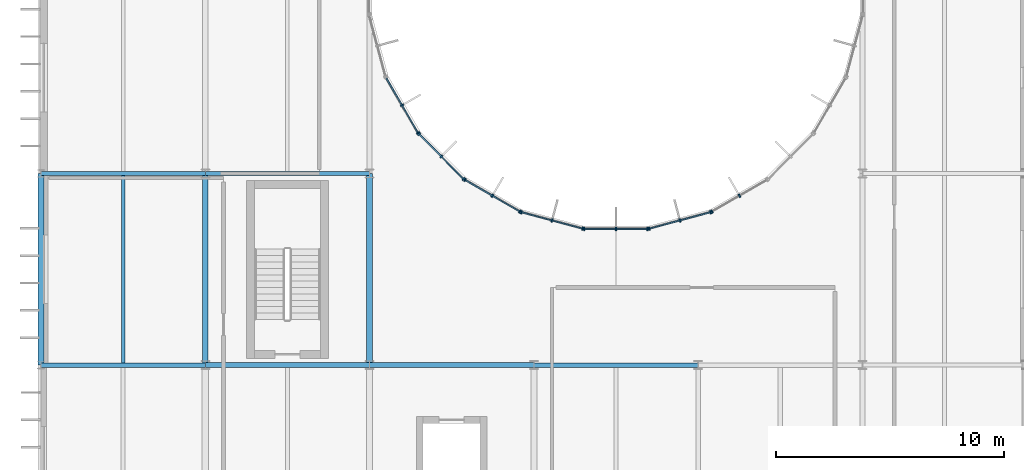
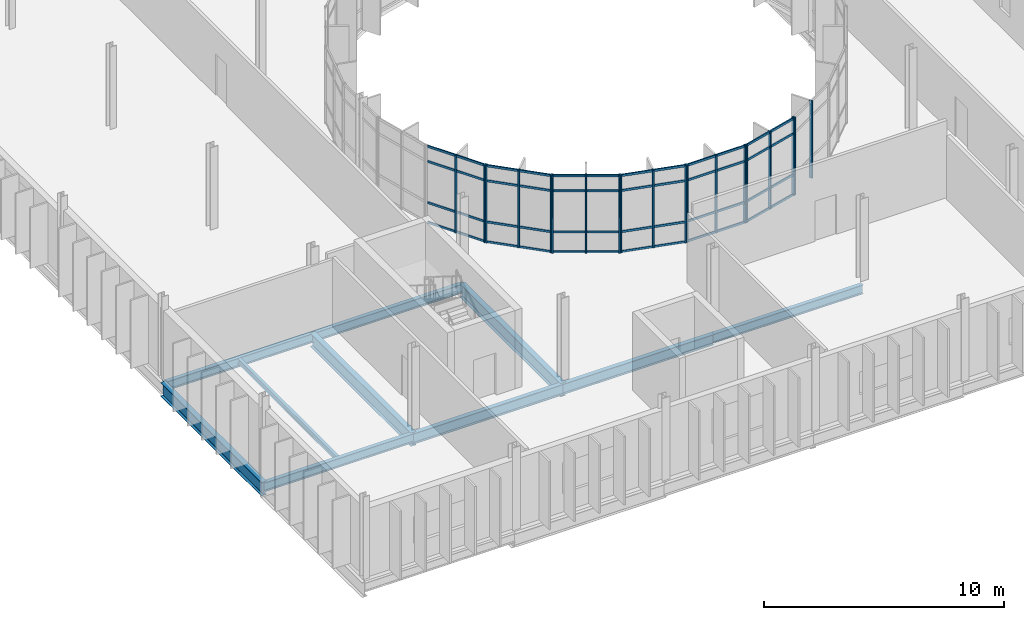
# One storey, part 37 of 99: 43 members, 10 beams, 7 elements without a shape of their own.
"""IFC4 building model written with IfcOpenShell, lengths in metres."""

import ifcopenshell
import ifcopenshell.guid

model = None  # the IFC model being written
_history = None  # IfcOwnerHistory: only IFC2X3 demands one
_inside = {}  # id of a spatial element -> (the spatial element, [elements in it])
_under = {}  # id of a project, library or spatial element -> (it, [spatial elements below it])
_declared = {}  # id of a project -> (the project, [libraries it declares])
_typed = {}  # id of a type object -> (the type object, [elements of that type])
_made_of = {}  # id of a material, layer set ... -> (it, [elements and type objects made of it])


def new_model(schema):
    """Start an empty IFC model of exactly this schema.

    Asked for "IFC4X3", IfcOpenShell would pick the latest addendum, in which some entities
    have other attributes; the version numbers below select the first issue.
    IFC2X3 requires an IfcOwnerHistory on every rooted entity: one is made here for all.
    """
    global model, _history
    if schema == "IFC4X3":
        model = ifcopenshell.file(schema_version=(4, 3, 0, 0))
    else:
        model = ifcopenshell.file(schema=schema)
    _inside.clear()
    _under.clear()
    _declared.clear()
    _typed.clear()
    _made_of.clear()
    _history = None
    if model.schema == "IFC2X3":
        org = make("IfcOrganization", Name="unknown")
        user = make(
            "IfcPersonAndOrganization",
            ThePerson=make("IfcPerson", FamilyName="unknown"),
            TheOrganization=org,
        )
        app = make(
            "IfcApplication",
            ApplicationDeveloper=org,
            Version="unknown",
            ApplicationFullName="unknown",
            ApplicationIdentifier="unknown",
        )
        _history = make(
            "IfcOwnerHistory",
            OwningUser=user,
            OwningApplication=app,
            ChangeAction="ADDED",
            CreationDate=0,
        )
    return model


def make(cls, **values):
    """One entity of the class cls with the attributes given. An attribute that is None is left unset."""
    return model.create_entity(
        cls, **{name: value for name, value in values.items() if value is not None}
    )


def rooted(cls, **values):
    """An entity with a GlobalId (a new one), such as an element, a storey or a relation."""
    return make(cls, GlobalId=ifcopenshell.guid.new(), OwnerHistory=_history, **values)


def si_unit(unit_type, name, prefix=None):
    """IfcSIUnit, for example si_unit("LENGTHUNIT", "METRE", prefix="MILLI")."""
    return make("IfcSIUnit", UnitType=unit_type, Prefix=prefix, Name=name)


def assignment(units):
    """IfcUnitAssignment: the units of a project."""
    return None if units is None else make("IfcUnitAssignment", Units=units)


def point(xyz):
    """IfcCartesianPoint."""
    return None if xyz is None else make("IfcCartesianPoint", Coordinates=xyz)


def direction(xyz):
    """IfcDirection."""
    return None if xyz is None else make("IfcDirection", DirectionRatios=xyz)


def frame(location, z_axis=None, x_axis=None):
    """IfcAxis2Placement3D, a coordinate frame: its origin and axes. An axis left out is left unset."""
    return make(
        "IfcAxis2Placement3D",
        Location=point(location),
        Axis=direction(z_axis),
        RefDirection=direction(x_axis),
    )


def frame_2d(location, x_axis=None):
    """IfcAxis2Placement2D, a coordinate frame in the plane: its origin and x axis."""
    return make(
        "IfcAxis2Placement2D", Location=point(location), RefDirection=direction(x_axis)
    )


def origin():
    """The frame at (0, 0, 0) with its axes left unset."""
    return frame((0.0, 0.0, 0.0))


def origin_2d():
    """The frame at (0, 0) in the plane with its x axis left unset."""
    return frame_2d((0.0, 0.0))


def place(relative_to, where):
    """IfcLocalPlacement: puts the frame where relative to a parent placement (None: the world)."""
    return make(
        "IfcLocalPlacement", PlacementRelTo=relative_to, RelativePlacement=where
    )


def context(
    kind, dimensions, precision=None, world=None, true_north=None, identifier=None
):
    """IfcGeometricRepresentationContext, for example the 3D "Model" context."""
    return make(
        "IfcGeometricRepresentationContext",
        ContextIdentifier=identifier,
        ContextType=kind,
        CoordinateSpaceDimension=dimensions,
        Precision=precision,
        WorldCoordinateSystem=world,
        TrueNorth=true_north,
    )


def subcontext(parent, identifier, kind, view, scale=None):
    """IfcGeometricRepresentationSubContext, for example "Body" below "Model"."""
    return make(
        "IfcGeometricRepresentationSubContext",
        ContextIdentifier=identifier,
        ContextType=kind,
        ParentContext=parent,
        TargetScale=scale,
        TargetView=view,
    )


def project(units=None, contexts=None):
    """IfcProject with its units and contexts."""
    return rooted(
        "IfcProject",
        Name="project",
        RepresentationContexts=contexts,
        UnitsInContext=assignment(units),
    )


def spatial(cls, under=None, at=None, **own):
    """A site, building, storey or space (cls), placed at a placement, below another one or the project."""
    s = rooted(cls, ObjectPlacement=at, **own)
    if under is not None:
        _under.setdefault(under.id(), (under, []))[1].append(s)
    return s


def profile(cls, at=None, kind="AREA", **sizes):
    """A parametric profile (cls). Its sizes go by their IFC names, for example OverallWidth=200.0."""
    return make(cls, ProfileType=kind, Position=at, **sizes)


def rectangle(**sizes):
    """IfcRectangleProfileDef."""
    return profile("IfcRectangleProfileDef", **sizes)


def i_section(**sizes):
    """IfcIShapeProfileDef."""
    return profile("IfcIShapeProfileDef", **sizes)


def extrude(swept, where, along, depth):
    """IfcExtrudedAreaSolid: the profile swept, set in the frame where, extruded along a direction by depth."""
    return make(
        "IfcExtrudedAreaSolid",
        SweptArea=swept,
        Position=where,
        ExtrudedDirection=direction(along),
        Depth=depth,
    )


def shape(context_of_items, identifier, shape_type, items):
    """IfcShapeRepresentation: the items that make up one representation, for example the "Body"."""
    return make(
        "IfcShapeRepresentation",
        ContextOfItems=context_of_items,
        RepresentationIdentifier=identifier,
        RepresentationType=shape_type,
        Items=items,
    )


def material(Name=None, Category=None):
    """IfcMaterial."""
    return make("IfcMaterial", Name=Name, Category=Category)


def material_profile(
    of_material, cross_section, Name=None, Category=None, Priority=None
):
    """IfcMaterialProfile: a cross section and its material."""
    return make(
        "IfcMaterialProfile",
        Name=Name,
        Material=of_material,
        Profile=cross_section,
        Priority=Priority,
        Category=Category,
    )


def profile_set(profiles, Name=None, composite=None):
    """IfcMaterialProfileSet."""
    return make(
        "IfcMaterialProfileSet",
        Name=Name,
        MaterialProfiles=profiles,
        CompositeProfile=composite,
    )


def made_of(thing, what):
    """Note that an element or type object is made of a material, layer set ...; save() writes the relation."""
    if what is not None:
        _made_of.setdefault(what.id(), (what, []))[1].append(thing)
    return thing


def type_object(cls, material=None, **own):
    """A type object (cls), such as IfcWallType, which elements share."""
    return made_of(rooted(cls, **own), material)


def element(
    cls,
    number,
    at=None,
    inside=None,
    cuts=None,
    type_object=None,
    material=None,
    context=None,
    identifier="Body",
    shape_type=None,
    held_by="IfcProductDefinitionShape",
    body=None,
    shapes=None,
    **own,
):
    """One element of the class cls, such as IfcWall. Its Tag is "e" and its number.

    at: its placement. inside: the storey or other place that contains it. cuts: it is an
    opening in that element (IfcRelVoidsElement). A single representation is given by context,
    identifier, shape_type and body (its items); several are given by shapes. held_by: the class
    of the entity that holds the representations. save() writes the other relations.
    """
    e = rooted(cls, Tag="e%d" % number, ObjectPlacement=at, **own)
    if body is not None:
        shapes = [shape(context, identifier, shape_type, body)]
    if shapes is not None:
        e.Representation = make(held_by, Representations=shapes)
    if inside is not None:
        _inside.setdefault(inside.id(), (inside, []))[1].append(e)
    if cuts is not None:
        rooted(
            "IfcRelVoidsElement", RelatingBuildingElement=cuts, RelatedOpeningElement=e
        )
    if type_object is not None:
        _typed.setdefault(type_object.id(), (type_object, []))[1].append(e)
    return made_of(e, material)


def aggregate(whole, parts):
    """IfcRelAggregates: a whole, such as a stair, and the parts it consists of."""
    return rooted("IfcRelAggregates", RelatingObject=whole, RelatedObjects=parts)


def save(model, path):
    """Write the relations noted so far, then the file.

    IfcRelAggregates (storeys below a building ...), IfcRelContainedInSpatialStructure (elements
    in a storey), IfcRelDefinesByType, IfcRelAssociatesMaterial and IfcRelDeclares: one each for
    every whole, place, type object, material and project.
    """
    for whole, parts in _under.values():
        aggregate(whole, parts)
    for where, things in _inside.values():
        rooted(
            "IfcRelContainedInSpatialStructure",
            RelatedElements=things,
            RelatingStructure=where,
        )
    for kind, things in _typed.values():
        rooted("IfcRelDefinesByType", RelatedObjects=things, RelatingType=kind)
    for what, things in _made_of.values():
        rooted("IfcRelAssociatesMaterial", RelatedObjects=things, RelatingMaterial=what)
    for by, libraries in _declared.values():
        rooted("IfcRelDeclares", RelatingContext=by, RelatedDefinitions=libraries)
    model.write(path)


model = new_model("IFC4")

# Units and contexts
model_context = context("Model", 3, precision=1e-05, world=origin(), true_north=direction((0.0, 1.0)))
body_context = subcontext(model_context, "Body", "Model", "MODEL_VIEW")
ifc_project = project(units=[si_unit("LENGTHUNIT", "METRE"), si_unit("AREAUNIT", "SQUARE_METRE"), si_unit("VOLUMEUNIT", "CUBIC_METRE"), si_unit("PLANEANGLEUNIT", "RADIAN"), si_unit("MASSUNIT", "GRAM", prefix="KILO")], contexts=[model_context])

# Site, building, storey
site_placement = place(None, origin())
site = spatial("IfcSite", under=ifc_project, at=site_placement, CompositionType="ELEMENT")
building_placement = place(site_placement, origin())
building = spatial("IfcBuilding", under=site, at=building_placement, Name="Qelthora Terrace Specialist Clinic", CompositionType="ELEMENT")
storey_placement = place(building_placement, frame((0.0, 0.0, 9.0)))
storey = spatial("IfcBuildingStorey", under=building, at=storey_placement, Name="L02", CompositionType="ELEMENT", Elevation=9.0)

# Beams
ifc_material_1 = material(Name="Steel S355", Category="steel")
ifc_material_profile_1 = material_profile(ifc_material_1, i_section(OverallWidth=0.19091796875, OverallDepth=0.4599609375, WebThickness=0.010009765625, FlangeThickness=0.01611328125, FilletRadius=0.012939453125, at=origin_2d()), Name="W460X82")
ifc_profile_set_1 = profile_set([ifc_material_profile_1], Name="Steel S355")
beam_type_1 = type_object("IfcBeamType", Name="BM-W460X82", PredefinedType="BEAM", material=ifc_profile_set_1)
beam_1_placement = place(storey_placement, frame((7.199951171875, 75.60009765625, -0.47998046875), z_axis=(1.0, 0.0, 0.0), x_axis=(0.0, 1.0, 0.0)))
element("IfcBeam", 1, at=beam_1_placement, inside=storey, type_object=beam_type_1, Name="Girder BMX-L02-0666", PredefinedType="BEAM", context=body_context, shape_type="SweptSolid", body=[
    extrude(i_section(OverallWidth=0.19091796875, OverallDepth=0.4599609375, WebThickness=0.010009765625, FlangeThickness=0.01611328125, FilletRadius=0.012939453125, at=origin_2d()), origin(), (0.0, 0.0, 1.0), 7.199951171875),
])
ifc_material_profile_2 = material_profile(ifc_material_1, i_section(OverallWidth=0.193115234375, OverallDepth=0.466064453125, WebThickness=0.011474609375, FlangeThickness=0.01904296875, FilletRadius=0.012939453125, at=origin_2d()), Name="W460X97")
ifc_profile_set_2 = profile_set([ifc_material_profile_2], Name="Steel S355")
beam_type_2 = type_object("IfcBeamType", Name="BM-W460X97", PredefinedType="BEAM", material=ifc_profile_set_2)
beam_2_placement = place(storey_placement, frame((21.60009765625, 67.199951171875, -0.48291015625), z_axis=(1.0, 0.0, 0.0), x_axis=(0.0, 1.0, 0.0)))
element("IfcBeam", 2, at=beam_2_placement, inside=storey, type_object=beam_type_2, Name="Girder BMX-L02-0651", PredefinedType="BEAM", context=body_context, shape_type="SweptSolid", body=[
    extrude(i_section(OverallWidth=0.193115234375, OverallDepth=0.466064453125, WebThickness=0.011474609375, FlangeThickness=0.01904296875, FilletRadius=0.012939453125, at=origin_2d()), origin(), (0.0, 0.0, 1.0), 7.199951171875),
])
ifc_material_profile_3 = material_profile(ifc_material_1, i_section(OverallWidth=0.2099609375, OverallDepth=0.537109375, WebThickness=0.010986328125, FlangeThickness=0.017333984375, FilletRadius=0.013916015625, at=origin_2d()), Name="W530X101")
ifc_profile_set_3 = profile_set([ifc_material_profile_3], Name="Steel S355")
beam_type_3 = type_object("IfcBeamType", Name="BM-W530X101", PredefinedType="BEAM", material=ifc_profile_set_3)
beam_3_placement = place(storey_placement, frame((14.39990234375, 67.199951171875, -0.5185546875), z_axis=(1.0, 0.0, 0.0), x_axis=(0.0, 1.0, 0.0)))
element("IfcBeam", 3, at=beam_3_placement, inside=storey, type_object=beam_type_3, Name="Girder BMX-L02-0650", PredefinedType="BEAM", context=body_context, shape_type="SweptSolid", body=[
    extrude(i_section(OverallWidth=0.2099609375, OverallDepth=0.537109375, WebThickness=0.010986328125, FlangeThickness=0.017333984375, FilletRadius=0.013916015625, at=origin_2d()), origin(), (0.0, 0.0, 1.0), 7.2001953125),
])
ifc_material_profile_4 = material_profile(ifc_material_1, i_section(OverallWidth=0.2119140625, OverallDepth=0.5439453125, WebThickness=0.01318359375, FlangeThickness=0.021240234375, FilletRadius=0.013916015625, at=origin_2d()), Name="W530X123")
ifc_profile_set_4 = profile_set([ifc_material_profile_4], Name="Steel S355")
beam_type_4 = type_object("IfcBeamType", Name="BM-W530X123", PredefinedType="BEAM", material=ifc_profile_set_4)
beam_4_placement = place(storey_placement, frame((7.199951171875, 67.199951171875, -0.52197265625), z_axis=(1.0, 0.0, 0.0), x_axis=(0.0, 1.0, 0.0)))
element("IfcBeam", 4, at=beam_4_placement, inside=storey, type_object=beam_type_4, Name="Girder BMX-L02-0649", PredefinedType="BEAM", context=body_context, shape_type="SweptSolid", body=[
    extrude(i_section(OverallWidth=0.2119140625, OverallDepth=0.5439453125, WebThickness=0.01318359375, FlangeThickness=0.021240234375, FilletRadius=0.013916015625, at=origin_2d()), origin(), (0.0, 0.0, 1.0), 7.199951171875),
])
ifc_material_profile_5 = material_profile(ifc_material_1, i_section(OverallWidth=0.256103515625, OverallDepth=0.693115234375, WebThickness=0.014404296875, FlangeThickness=0.023681640625, FilletRadius=0.01806640625, at=origin_2d()), Name="W690X170")
ifc_profile_set_5 = profile_set([ifc_material_profile_5], Name="Steel S355")
beam_type_5 = type_object("IfcBeamType", Name="BM-W690X170", PredefinedType="BEAM", material=ifc_profile_set_5)
for number, where, z_axis, x_axis, name in (
    (5, (0.0, 67.199951171875, -0.596435546875), (0.0, 1.0, 0.0), (-1.0, 0.0, 0.0), "Girder BMY-L02-0743"),
    (6, (7.199951171875, 67.199951171875, -0.596435546875), (0.0, 1.0, 0.0), (-1.0, 0.0, 0.0), "Girder BMY-L02-0753"),
    (7, (14.39990234375, 67.199951171875, -0.596435546875), (0.0, 1.0, 0.0), (-1.0, 0.0, 0.0), "Girder BMY-L02-0763"),
):
    element("IfcBeam", number, at=place(storey_placement, frame(where, z_axis=z_axis, x_axis=x_axis)), inside=storey, type_object=beam_type_5, Name=name, PredefinedType="BEAM", context=body_context, shape_type="SweptSolid", body=[
        extrude(i_section(OverallWidth=0.256103515625, OverallDepth=0.693115234375, WebThickness=0.014404296875, FlangeThickness=0.023681640625, FilletRadius=0.01806640625, at=origin_2d()), origin(), (0.0, 0.0, 1.0), 8.400146484375),
    ])

# Curtain wall, members
ifc_material_2 = material(Name="Aluminium anodized bronze", Category="aluminium")
curtain_wall_type = type_object("IfcCurtainWallType", Name="CW-CRTW-UPP", PredefinedType="NOTDEFINED", material=ifc_material_2)
curtain_wall_1_placement = place(storey_placement, origin())
curtain_wall_1 = element("IfcCurtainWall", 8, at=curtain_wall_1_placement, inside=storey, type_object=curtain_wall_type, Name="Curtain wall CW-CW-L02-14", PredefinedType="NOTDEFINED")
ifc_material_profile_6 = material_profile(ifc_material_2, rectangle(XDim=0.06005859375, YDim=0.14990234375, at=origin_2d()), Name="CWM60X150")
ifc_profile_set_6 = profile_set([ifc_material_profile_6], Name="Aluminium anodized bronze")
member_type_1 = type_object("IfcMemberType", Name="CWM-60X150", PredefinedType="MULLION", material=ifc_profile_set_6)
member_1_placement = place(storey_placement, frame((15.822998046875, 78.586181640625, 0.0), z_axis=(0.0, 0.0, 1.0), x_axis=(0.499999597971, -0.866025635896, 0.0)))
member_1 = element("IfcMember", 9, at=member_1_placement, type_object=member_type_1, Name="CW-CW-L02-14 mullion 2", PredefinedType="MULLION", context=body_context, shape_type="SweptSolid", body=[
    extrude(rectangle(XDim=0.06005859375, YDim=0.14990234375, at=origin_2d()), origin(), (0.0, 0.0, 1.0), 3.945068359375),
])
member_2_placement = place(storey_placement, frame((16.517822265625, 77.3828125, 0.0), z_axis=(0.0, 0.0, 1.0), x_axis=(0.499999597971, -0.866025635896, 0.0)))
member_2 = element("IfcMember", 10, at=member_2_placement, type_object=member_type_1, Name="CW-CW-L02-14 mullion 3", PredefinedType="MULLION", context=body_context, shape_type="SweptSolid", body=[
    extrude(rectangle(XDim=0.06005859375, YDim=0.14990234375, at=origin_2d()), origin(), (0.0, 0.0, 1.0), 3.945068359375),
])

curtain_wall_2_placement = place(storey_placement, origin())
curtain_wall_2 = element("IfcCurtainWall", 11, at=curtain_wall_2_placement, inside=storey, type_object=curtain_wall_type, Name="Curtain wall CW-CW-L02-15", PredefinedType="NOTDEFINED")
member_3_placement = place(storey_placement, frame((16.56103515625, 77.326416015625, 0.0), z_axis=(0.0, 0.0, 1.0), x_axis=(0.707106781187, -0.707106781187, 0.0)))
member_3 = element("IfcMember", 12, at=member_3_placement, type_object=member_type_1, Name="CW-CW-L02-15 mullion 1", PredefinedType="MULLION", context=body_context, shape_type="SweptSolid", body=[
    extrude(rectangle(XDim=0.06005859375, YDim=0.14990234375, at=origin_2d()), origin(), (0.0, 0.0, 1.0), 3.945068359375),
])
member_4_placement = place(storey_placement, frame((17.543701171875, 76.34375, 0.0), z_axis=(0.0, 0.0, 1.0), x_axis=(0.707106781187, -0.707106781187, 0.0)))
member_4 = element("IfcMember", 13, at=member_4_placement, type_object=member_type_1, Name="CW-CW-L02-15 mullion 2", PredefinedType="MULLION", context=body_context, shape_type="SweptSolid", body=[
    extrude(rectangle(XDim=0.06005859375, YDim=0.14990234375, at=origin_2d()), origin(), (0.0, 0.0, 1.0), 3.945068359375),
])
member_5_placement = place(storey_placement, frame((18.5263671875, 75.361083984375, 0.0), z_axis=(0.0, 0.0, 1.0), x_axis=(0.707106781187, -0.707106781187, 0.0)))
member_5 = element("IfcMember", 14, at=member_5_placement, type_object=member_type_1, Name="CW-CW-L02-15 mullion 3", PredefinedType="MULLION", context=body_context, shape_type="SweptSolid", body=[
    extrude(rectangle(XDim=0.06005859375, YDim=0.14990234375, at=origin_2d()), origin(), (0.0, 0.0, 1.0), 3.945068359375),
])

curtain_wall_3_placement = place(storey_placement, origin())
curtain_wall_3 = element("IfcCurtainWall", 15, at=curtain_wall_3_placement, inside=storey, type_object=curtain_wall_type, Name="Curtain wall CW-CW-L02-16", PredefinedType="NOTDEFINED")
member_6_placement = place(storey_placement, frame((18.582763671875, 75.31787109375, 0.0), z_axis=(0.0, 0.0, 1.0), x_axis=(0.866025635896, -0.499999597971, 0.0)))
member_6 = element("IfcMember", 16, at=member_6_placement, type_object=member_type_1, Name="CW-CW-L02-16 mullion 1", PredefinedType="MULLION", context=body_context, shape_type="SweptSolid", body=[
    extrude(rectangle(XDim=0.06005859375, YDim=0.14990234375, at=origin_2d()), origin(), (0.0, 0.0, 1.0), 3.945068359375),
])
member_7_placement = place(storey_placement, frame((19.7861328125, 74.623046875, 0.0), z_axis=(0.0, 0.0, 1.0), x_axis=(0.866025635896, -0.499999597971, 0.0)))
member_7 = element("IfcMember", 17, at=member_7_placement, type_object=member_type_1, Name="CW-CW-L02-16 mullion 2", PredefinedType="MULLION", context=body_context, shape_type="SweptSolid", body=[
    extrude(rectangle(XDim=0.06005859375, YDim=0.14990234375, at=origin_2d()), origin(), (0.0, 0.0, 1.0), 3.945068359375),
])
member_8_placement = place(storey_placement, frame((20.98974609375, 73.92822265625, 0.0), z_axis=(0.0, 0.0, 1.0), x_axis=(0.866025635896, -0.499999597971, 0.0)))
member_8 = element("IfcMember", 18, at=member_8_placement, type_object=member_type_1, Name="CW-CW-L02-16 mullion 3", PredefinedType="MULLION", context=body_context, shape_type="SweptSolid", body=[
    extrude(rectangle(XDim=0.06005859375, YDim=0.14990234375, at=origin_2d()), origin(), (0.0, 0.0, 1.0), 3.945068359375),
])

curtain_wall_4_placement = place(storey_placement, origin())
curtain_wall_4 = element("IfcCurtainWall", 19, at=curtain_wall_4_placement, inside=storey, type_object=curtain_wall_type, Name="Curtain wall CW-CW-L02-17", PredefinedType="NOTDEFINED")
member_9_placement = place(storey_placement, frame((21.05517578125, 73.901123046875, 0.0), z_axis=(0.0, 0.0, 1.0), x_axis=(0.96592547477, -0.258820356987, 0.0)))
member_9 = element("IfcMember", 20, at=member_9_placement, type_object=member_type_1, Name="CW-CW-L02-17 mullion 1", PredefinedType="MULLION", context=body_context, shape_type="SweptSolid", body=[
    extrude(rectangle(XDim=0.06005859375, YDim=0.14990234375, at=origin_2d()), origin(), (0.0, 0.0, 1.0), 3.945068359375),
])
member_10_placement = place(storey_placement, frame((22.397705078125, 73.541259765625, 0.0), z_axis=(0.0, 0.0, 1.0), x_axis=(0.96592547477, -0.258820356987, 0.0)))
member_10 = element("IfcMember", 21, at=member_10_placement, type_object=member_type_1, Name="CW-CW-L02-17 mullion 2", PredefinedType="MULLION", context=body_context, shape_type="SweptSolid", body=[
    extrude(rectangle(XDim=0.06005859375, YDim=0.14990234375, at=origin_2d()), origin(), (0.0, 0.0, 1.0), 3.945068359375),
])
member_11_placement = place(storey_placement, frame((23.739990234375, 73.181640625, 0.0), z_axis=(0.0, 0.0, 1.0), x_axis=(0.96592547477, -0.258820356987, 0.0)))
member_11 = element("IfcMember", 22, at=member_11_placement, type_object=member_type_1, Name="CW-CW-L02-17 mullion 3", PredefinedType="MULLION", context=body_context, shape_type="SweptSolid", body=[
    extrude(rectangle(XDim=0.06005859375, YDim=0.14990234375, at=origin_2d()), origin(), (0.0, 0.0, 1.0), 3.945068359375),
])

curtain_wall_5_placement = place(storey_placement, origin())
curtain_wall_5 = element("IfcCurtainWall", 23, at=curtain_wall_5_placement, inside=storey, type_object=curtain_wall_type, Name="Curtain wall CW-CW-L02-18", PredefinedType="NOTDEFINED")
member_12_placement = place(storey_placement, frame((23.810302734375, 73.17236328125, 0.0), z_axis=(0.0, 0.0, 1.0), x_axis=(1.0, 0.0, 0.0)))
member_12 = element("IfcMember", 24, at=member_12_placement, type_object=member_type_1, Name="CW-CW-L02-18 mullion 1", PredefinedType="MULLION", context=body_context, shape_type="SweptSolid", body=[
    extrude(rectangle(XDim=0.06005859375, YDim=0.14990234375, at=origin_2d()), origin(), (0.0, 0.0, 1.0), 3.945068359375),
])
member_13_placement = place(storey_placement, frame((25.199951171875, 73.17236328125, 0.0), z_axis=(0.0, 0.0, 1.0), x_axis=(1.0, 0.0, 0.0)))
member_13 = element("IfcMember", 25, at=member_13_placement, type_object=member_type_1, Name="CW-CW-L02-18 mullion 2", PredefinedType="MULLION", context=body_context, shape_type="SweptSolid", body=[
    extrude(rectangle(XDim=0.06005859375, YDim=0.14990234375, at=origin_2d()), origin(), (0.0, 0.0, 1.0), 3.945068359375),
])
member_14_placement = place(storey_placement, frame((26.589599609375, 73.17236328125, 0.0), z_axis=(0.0, 0.0, 1.0), x_axis=(1.0, 0.0, 0.0)))
member_14 = element("IfcMember", 26, at=member_14_placement, type_object=member_type_1, Name="CW-CW-L02-18 mullion 3", PredefinedType="MULLION", context=body_context, shape_type="SweptSolid", body=[
    extrude(rectangle(XDim=0.06005859375, YDim=0.14990234375, at=origin_2d()), origin(), (0.0, 0.0, 1.0), 3.945068359375),
])

curtain_wall_6_placement = place(storey_placement, origin())
curtain_wall_6 = element("IfcCurtainWall", 27, at=curtain_wall_6_placement, inside=storey, type_object=curtain_wall_type, Name="Curtain wall CW-CW-L02-19", PredefinedType="NOTDEFINED")
member_15_placement = place(storey_placement, frame((26.66015625, 73.181640625, 0.0), z_axis=(0.0, 0.0, 1.0), x_axis=(0.96592547477, 0.258820356987, 0.0)))
member_15 = element("IfcMember", 28, at=member_15_placement, type_object=member_type_1, Name="CW-CW-L02-19 mullion 1", PredefinedType="MULLION", context=body_context, shape_type="SweptSolid", body=[
    extrude(rectangle(XDim=0.06005859375, YDim=0.14990234375, at=origin_2d()), origin(), (0.0, 0.0, 1.0), 3.945068359375),
])
member_16_placement = place(storey_placement, frame((28.00244140625, 73.541259765625, 0.0), z_axis=(0.0, 0.0, 1.0), x_axis=(0.96592547477, 0.258820356987, 0.0)))
member_16 = element("IfcMember", 29, at=member_16_placement, type_object=member_type_1, Name="CW-CW-L02-19 mullion 2", PredefinedType="MULLION", context=body_context, shape_type="SweptSolid", body=[
    extrude(rectangle(XDim=0.06005859375, YDim=0.14990234375, at=origin_2d()), origin(), (0.0, 0.0, 1.0), 3.945068359375),
])
member_17_placement = place(storey_placement, frame((29.3447265625, 73.901123046875, 0.0), z_axis=(0.0, 0.0, 1.0), x_axis=(0.96592547477, 0.258820356987, 0.0)))
member_17 = element("IfcMember", 30, at=member_17_placement, type_object=member_type_1, Name="CW-CW-L02-19 mullion 3", PredefinedType="MULLION", context=body_context, shape_type="SweptSolid", body=[
    extrude(rectangle(XDim=0.06005859375, YDim=0.14990234375, at=origin_2d()), origin(), (0.0, 0.0, 1.0), 3.945068359375),
])

curtain_wall_7_placement = place(storey_placement, origin())
curtain_wall_7 = element("IfcCurtainWall", 31, at=curtain_wall_7_placement, inside=storey, type_object=curtain_wall_type, Name="Curtain wall CW-CW-L02-20", PredefinedType="NOTDEFINED")
member_18_placement = place(storey_placement, frame((29.410400390625, 73.92822265625, 0.0), z_axis=(0.0, 0.0, 1.0), x_axis=(0.866025635896, 0.499999597971, 0.0)))
member_18 = element("IfcMember", 32, at=member_18_placement, type_object=member_type_1, Name="CW-CW-L02-20 mullion 1", PredefinedType="MULLION", context=body_context, shape_type="SweptSolid", body=[
    extrude(rectangle(XDim=0.06005859375, YDim=0.14990234375, at=origin_2d()), origin(), (0.0, 0.0, 1.0), 3.945068359375),
])
member_19_placement = place(storey_placement, frame((30.61376953125, 74.623046875, 0.0), z_axis=(0.0, 0.0, 1.0), x_axis=(0.866025635896, 0.499999597971, 0.0)))
member_19 = element("IfcMember", 33, at=member_19_placement, type_object=member_type_1, Name="CW-CW-L02-20 mullion 2", PredefinedType="MULLION", context=body_context, shape_type="SweptSolid", body=[
    extrude(rectangle(XDim=0.06005859375, YDim=0.14990234375, at=origin_2d()), origin(), (0.0, 0.0, 1.0), 3.945068359375),
])
aggregate(curtain_wall_7, [member_18, member_19])

# Member
ifc_material_profile_7 = material_profile(ifc_material_2, rectangle(XDim=0.06005859375, YDim=0.110107421875, at=origin_2d()), Name="CWT60X110")
ifc_profile_set_7 = profile_set([ifc_material_profile_7], Name="Aluminium anodized bronze")
member_type_2 = type_object("IfcMemberType", Name="CWT-60X110", PredefinedType="USERDEFINED", material=ifc_profile_set_7)
member_20_placement = place(storey_placement, frame((15.13818359375, 79.7724609375, 0.0400390625), z_axis=(0.499953886166, -0.866052025982, 0.0), x_axis=(0.866052025982, 0.499953886166, 0.0)))
member_20 = element("IfcMember", 34, at=member_20_placement, type_object=member_type_2, Name="CW-CW-L02-14 transom 1", ObjectType="TRANSOM", PredefinedType="USERDEFINED", context=body_context, shape_type="SweptSolid", body=[
    extrude(rectangle(XDim=0.06005859375, YDim=0.110107421875, at=origin_2d()), origin(), (0.0, 0.0, 1.0), 2.739501953125),
])

member_21_placement = place(storey_placement, frame((15.13818359375, 79.7724609375, 1.050048828125), z_axis=(0.499953886166, -0.866052025982, 0.0), x_axis=(0.866052025982, 0.499953886166, 0.0)))
member_21 = element("IfcMember", 35, at=member_21_placement, type_object=member_type_2, Name="CW-CW-L02-14 transom 2", ObjectType="TRANSOM", PredefinedType="USERDEFINED", context=body_context, shape_type="SweptSolid", body=[
    extrude(rectangle(XDim=0.06005859375, YDim=0.110107421875, at=origin_2d()), origin(), (0.0, 0.0, 1.0), 2.739501953125),
])

member_22_placement = place(storey_placement, frame((15.13818359375, 79.7724609375, 3.14501953125), z_axis=(0.499953886166, -0.866052025982, 0.0), x_axis=(0.866052025982, 0.499953886166, 0.0)))
member_22 = element("IfcMember", 36, at=member_22_placement, type_object=member_type_2, Name="CW-CW-L02-14 transom 3", ObjectType="TRANSOM", PredefinedType="USERDEFINED", context=body_context, shape_type="SweptSolid", body=[
    extrude(rectangle(XDim=0.06005859375, YDim=0.110107421875, at=origin_2d()), origin(), (0.0, 0.0, 1.0), 2.739501953125),
])

member_23_placement = place(storey_placement, frame((15.13818359375, 79.7724609375, 3.905029296875), z_axis=(0.499953886166, -0.866052025982, 0.0), x_axis=(0.866052025982, 0.499953886166, 0.0)))
member_23 = element("IfcMember", 37, at=member_23_placement, type_object=member_type_2, Name="CW-CW-L02-14 transom 4", ObjectType="TRANSOM", PredefinedType="USERDEFINED", context=body_context, shape_type="SweptSolid", body=[
    extrude(rectangle(XDim=0.06005859375, YDim=0.110107421875, at=origin_2d()), origin(), (0.0, 0.0, 1.0), 2.739501953125),
])

aggregate(curtain_wall_1, [member_1, member_2, member_20, member_21, member_22, member_23])

member_24_placement = place(storey_placement, frame((16.5751953125, 77.312255859375, 0.0400390625), z_axis=(0.707106781187, -0.707106781187, 0.0), x_axis=(0.707106781187, 0.707106781187, 0.0)))
member_24 = element("IfcMember", 38, at=member_24_placement, type_object=member_type_2, Name="CW-CW-L02-15 transom 1", ObjectType="TRANSOM", PredefinedType="USERDEFINED", context=body_context, shape_type="SweptSolid", body=[
    extrude(rectangle(XDim=0.06005859375, YDim=0.110107421875, at=origin_2d()), origin(), (0.0, 0.0, 1.0), 2.7392578125),
])

member_25_placement = place(storey_placement, frame((16.5751953125, 77.312255859375, 1.050048828125), z_axis=(0.707106781187, -0.707106781187, 0.0), x_axis=(0.707106781187, 0.707106781187, 0.0)))
member_25 = element("IfcMember", 39, at=member_25_placement, type_object=member_type_2, Name="CW-CW-L02-15 transom 2", ObjectType="TRANSOM", PredefinedType="USERDEFINED", context=body_context, shape_type="SweptSolid", body=[
    extrude(rectangle(XDim=0.06005859375, YDim=0.110107421875, at=origin_2d()), origin(), (0.0, 0.0, 1.0), 2.7392578125),
])

member_26_placement = place(storey_placement, frame((16.5751953125, 77.312255859375, 3.14501953125), z_axis=(0.707106781187, -0.707106781187, 0.0), x_axis=(0.707106781187, 0.707106781187, 0.0)))
member_26 = element("IfcMember", 40, at=member_26_placement, type_object=member_type_2, Name="CW-CW-L02-15 transom 3", ObjectType="TRANSOM", PredefinedType="USERDEFINED", context=body_context, shape_type="SweptSolid", body=[
    extrude(rectangle(XDim=0.06005859375, YDim=0.110107421875, at=origin_2d()), origin(), (0.0, 0.0, 1.0), 2.7392578125),
])

member_27_placement = place(storey_placement, frame((16.5751953125, 77.312255859375, 3.905029296875), z_axis=(0.707106781187, -0.707106781187, 0.0), x_axis=(0.707106781187, 0.707106781187, 0.0)))
member_27 = element("IfcMember", 41, at=member_27_placement, type_object=member_type_2, Name="CW-CW-L02-15 transom 4", ObjectType="TRANSOM", PredefinedType="USERDEFINED", context=body_context, shape_type="SweptSolid", body=[
    extrude(rectangle(XDim=0.06005859375, YDim=0.110107421875, at=origin_2d()), origin(), (0.0, 0.0, 1.0), 2.7392578125),
])

aggregate(curtain_wall_2, [member_3, member_4, member_5, member_24, member_25, member_26, member_27])

member_28_placement = place(storey_placement, frame((18.60009765625, 75.307861328125, 0.0400390625), z_axis=(0.866029747927, -0.499992475648, 0.0), x_axis=(0.499992475648, 0.866029747927, 0.0)))
member_28 = element("IfcMember", 42, at=member_28_placement, type_object=member_type_2, Name="CW-CW-L02-16 transom 1", ObjectType="TRANSOM", PredefinedType="USERDEFINED", context=body_context, shape_type="SweptSolid", body=[
    extrude(rectangle(XDim=0.06005859375, YDim=0.110107421875, at=origin_2d()), origin(), (0.0, 0.0, 1.0), 2.7392578125),
])

member_29_placement = place(storey_placement, frame((18.60009765625, 75.307861328125, 1.050048828125), z_axis=(0.866029747927, -0.499992475648, 0.0), x_axis=(0.499992475648, 0.866029747927, 0.0)))
member_29 = element("IfcMember", 43, at=member_29_placement, type_object=member_type_2, Name="CW-CW-L02-16 transom 2", ObjectType="TRANSOM", PredefinedType="USERDEFINED", context=body_context, shape_type="SweptSolid", body=[
    extrude(rectangle(XDim=0.06005859375, YDim=0.110107421875, at=origin_2d()), origin(), (0.0, 0.0, 1.0), 2.7392578125),
])

member_30_placement = place(storey_placement, frame((18.60009765625, 75.307861328125, 3.14501953125), z_axis=(0.866029747927, -0.499992475648, 0.0), x_axis=(0.499992475648, 0.866029747927, 0.0)))
member_30 = element("IfcMember", 44, at=member_30_placement, type_object=member_type_2, Name="CW-CW-L02-16 transom 3", ObjectType="TRANSOM", PredefinedType="USERDEFINED", context=body_context, shape_type="SweptSolid", body=[
    extrude(rectangle(XDim=0.06005859375, YDim=0.110107421875, at=origin_2d()), origin(), (0.0, 0.0, 1.0), 2.7392578125),
])

member_31_placement = place(storey_placement, frame((18.60009765625, 75.307861328125, 3.905029296875), z_axis=(0.866029747927, -0.499992475648, 0.0), x_axis=(0.499992475648, 0.866029747927, 0.0)))
member_31 = element("IfcMember", 45, at=member_31_placement, type_object=member_type_2, Name="CW-CW-L02-16 transom 4", ObjectType="TRANSOM", PredefinedType="USERDEFINED", context=body_context, shape_type="SweptSolid", body=[
    extrude(rectangle(XDim=0.06005859375, YDim=0.110107421875, at=origin_2d()), origin(), (0.0, 0.0, 1.0), 2.7392578125),
])

aggregate(curtain_wall_3, [member_6, member_7, member_8, member_28, member_29, member_30, member_31])

member_32_placement = place(storey_placement, frame((21.07470703125, 73.895751953125, 0.0400390625), z_axis=(0.965926569303, -0.258816272122, 0.0), x_axis=(0.258816272122, 0.965926569303, 0.0)))
member_32 = element("IfcMember", 46, at=member_32_placement, type_object=member_type_2, Name="CW-CW-L02-17 transom 1", ObjectType="TRANSOM", PredefinedType="USERDEFINED", context=body_context, shape_type="SweptSolid", body=[
    extrude(rectangle(XDim=0.06005859375, YDim=0.110107421875, at=origin_2d()), origin(), (0.0, 0.0, 1.0), 2.7392578125),
])

member_33_placement = place(storey_placement, frame((21.07470703125, 73.895751953125, 1.050048828125), z_axis=(0.965926569303, -0.258816272122, 0.0), x_axis=(0.258816272122, 0.965926569303, 0.0)))
member_33 = element("IfcMember", 47, at=member_33_placement, type_object=member_type_2, Name="CW-CW-L02-17 transom 2", ObjectType="TRANSOM", PredefinedType="USERDEFINED", context=body_context, shape_type="SweptSolid", body=[
    extrude(rectangle(XDim=0.06005859375, YDim=0.110107421875, at=origin_2d()), origin(), (0.0, 0.0, 1.0), 2.7392578125),
])

member_34_placement = place(storey_placement, frame((21.07470703125, 73.895751953125, 3.14501953125), z_axis=(0.965926569303, -0.258816272122, 0.0), x_axis=(0.258816272122, 0.965926569303, 0.0)))
member_34 = element("IfcMember", 48, at=member_34_placement, type_object=member_type_2, Name="CW-CW-L02-17 transom 3", ObjectType="TRANSOM", PredefinedType="USERDEFINED", context=body_context, shape_type="SweptSolid", body=[
    extrude(rectangle(XDim=0.06005859375, YDim=0.110107421875, at=origin_2d()), origin(), (0.0, 0.0, 1.0), 2.7392578125),
])

member_35_placement = place(storey_placement, frame((21.07470703125, 73.895751953125, 3.905029296875), z_axis=(0.965926569303, -0.258816272122, 0.0), x_axis=(0.258816272122, 0.965926569303, 0.0)))
member_35 = element("IfcMember", 49, at=member_35_placement, type_object=member_type_2, Name="CW-CW-L02-17 transom 4", ObjectType="TRANSOM", PredefinedType="USERDEFINED", context=body_context, shape_type="SweptSolid", body=[
    extrude(rectangle(XDim=0.06005859375, YDim=0.110107421875, at=origin_2d()), origin(), (0.0, 0.0, 1.0), 2.7392578125),
])

aggregate(curtain_wall_4, [member_9, member_10, member_11, member_32, member_33, member_34, member_35])

member_36_placement = place(storey_placement, frame((23.830322265625, 73.17236328125, 0.0400390625), z_axis=(1.0, 0.0, 0.0), x_axis=(0.0, 1.0, 0.0)))
member_36 = element("IfcMember", 50, at=member_36_placement, type_object=member_type_2, Name="CW-CW-L02-18 transom 1", ObjectType="TRANSOM", PredefinedType="USERDEFINED", context=body_context, shape_type="SweptSolid", body=[
    extrude(rectangle(XDim=0.06005859375, YDim=0.110107421875, at=origin_2d()), origin(), (0.0, 0.0, 1.0), 2.7392578125),
])

member_37_placement = place(storey_placement, frame((23.830322265625, 73.17236328125, 1.050048828125), z_axis=(1.0, 0.0, 0.0), x_axis=(0.0, 1.0, 0.0)))
member_37 = element("IfcMember", 51, at=member_37_placement, type_object=member_type_2, Name="CW-CW-L02-18 transom 2", ObjectType="TRANSOM", PredefinedType="USERDEFINED", context=body_context, shape_type="SweptSolid", body=[
    extrude(rectangle(XDim=0.06005859375, YDim=0.110107421875, at=origin_2d()), origin(), (0.0, 0.0, 1.0), 2.7392578125),
])

member_38_placement = place(storey_placement, frame((23.830322265625, 73.17236328125, 3.14501953125), z_axis=(1.0, 0.0, 0.0), x_axis=(0.0, 1.0, 0.0)))
member_38 = element("IfcMember", 52, at=member_38_placement, type_object=member_type_2, Name="CW-CW-L02-18 transom 3", ObjectType="TRANSOM", PredefinedType="USERDEFINED", context=body_context, shape_type="SweptSolid", body=[
    extrude(rectangle(XDim=0.06005859375, YDim=0.110107421875, at=origin_2d()), origin(), (0.0, 0.0, 1.0), 2.7392578125),
])

member_39_placement = place(storey_placement, frame((23.830322265625, 73.17236328125, 3.905029296875), z_axis=(1.0, 0.0, 0.0), x_axis=(0.0, 1.0, 0.0)))
member_39 = element("IfcMember", 53, at=member_39_placement, type_object=member_type_2, Name="CW-CW-L02-18 transom 4", ObjectType="TRANSOM", PredefinedType="USERDEFINED", context=body_context, shape_type="SweptSolid", body=[
    extrude(rectangle(XDim=0.06005859375, YDim=0.110107421875, at=origin_2d()), origin(), (0.0, 0.0, 1.0), 2.7392578125),
])

aggregate(curtain_wall_5, [member_12, member_13, member_14, member_36, member_37, member_38, member_39])

member_40_placement = place(storey_placement, frame((26.679443359375, 73.186767578125, 0.0400390625), z_axis=(0.965926569303, 0.258816272122, 0.0), x_axis=(-0.258816272122, 0.965926569303, 0.0)))
member_40 = element("IfcMember", 54, at=member_40_placement, type_object=member_type_2, Name="CW-CW-L02-19 transom 1", ObjectType="TRANSOM", PredefinedType="USERDEFINED", context=body_context, shape_type="SweptSolid", body=[
    extrude(rectangle(XDim=0.06005859375, YDim=0.110107421875, at=origin_2d()), origin(), (0.0, 0.0, 1.0), 2.7392578125),
])

member_41_placement = place(storey_placement, frame((26.679443359375, 73.186767578125, 1.050048828125), z_axis=(0.965926569303, 0.258816272122, 0.0), x_axis=(-0.258816272122, 0.965926569303, 0.0)))
member_41 = element("IfcMember", 55, at=member_41_placement, type_object=member_type_2, Name="CW-CW-L02-19 transom 2", ObjectType="TRANSOM", PredefinedType="USERDEFINED", context=body_context, shape_type="SweptSolid", body=[
    extrude(rectangle(XDim=0.06005859375, YDim=0.110107421875, at=origin_2d()), origin(), (0.0, 0.0, 1.0), 2.7392578125),
])

member_42_placement = place(storey_placement, frame((26.679443359375, 73.186767578125, 3.14501953125), z_axis=(0.965926569303, 0.258816272122, 0.0), x_axis=(-0.258816272122, 0.965926569303, 0.0)))
member_42 = element("IfcMember", 56, at=member_42_placement, type_object=member_type_2, Name="CW-CW-L02-19 transom 3", ObjectType="TRANSOM", PredefinedType="USERDEFINED", context=body_context, shape_type="SweptSolid", body=[
    extrude(rectangle(XDim=0.06005859375, YDim=0.110107421875, at=origin_2d()), origin(), (0.0, 0.0, 1.0), 2.7392578125),
])

member_43_placement = place(storey_placement, frame((26.679443359375, 73.186767578125, 3.905029296875), z_axis=(0.965926569303, 0.258816272122, 0.0), x_axis=(-0.258816272122, 0.965926569303, 0.0)))
member_43 = element("IfcMember", 57, at=member_43_placement, type_object=member_type_2, Name="CW-CW-L02-19 transom 4", ObjectType="TRANSOM", PredefinedType="USERDEFINED", context=body_context, shape_type="SweptSolid", body=[
    extrude(rectangle(XDim=0.06005859375, YDim=0.110107421875, at=origin_2d()), origin(), (0.0, 0.0, 1.0), 2.7392578125),
])

aggregate(curtain_wall_6, [member_15, member_16, member_17, member_40, member_41, member_42, member_43])

# Beams
ifc_material_profile_8 = material_profile(ifc_material_1, i_section(OverallWidth=0.14697265625, OverallDepth=0.261962890625, WebThickness=0.006591796875, FlangeThickness=0.01123046875, FilletRadius=0.009033203125, at=origin_2d()), Name="W250X39")
ifc_profile_set_8 = profile_set([ifc_material_profile_8], Name="Steel S355")
beam_type_6 = type_object("IfcBeamType", Name="JST-W250X39", PredefinedType="JOIST", material=ifc_profile_set_8)
beam_5_placement = place(storey_placement, frame((3.60009765625, 67.29541015625, -0.381103515625), z_axis=(0.0, 1.0, 0.0), x_axis=(-1.0, 0.0, 0.0)))
element("IfcBeam", 58, at=beam_5_placement, inside=storey, type_object=beam_type_6, Name="Composite floor joist JST-L02-0149", PredefinedType="JOIST", context=body_context, shape_type="SweptSolid", body=[
    extrude(i_section(OverallWidth=0.14697265625, OverallDepth=0.261962890625, WebThickness=0.006591796875, FlangeThickness=0.01123046875, FilletRadius=0.009033203125, at=origin_2d()), origin(), (0.0, 0.0, 1.0), 8.208984375),
])
ifc_material_profile_9 = material_profile(ifc_material_1, i_section(OverallWidth=0.19091796875, OverallDepth=0.4599609375, WebThickness=0.010009765625, FlangeThickness=0.01611328125, FilletRadius=0.012939453125, at=origin_2d()), Name="W460X82")
ifc_profile_set_9 = profile_set([ifc_material_profile_9], Name="Steel S355")
beam_type_7 = type_object("IfcBeamType", Name="SPD-W460X82", PredefinedType="SPANDREL", material=ifc_profile_set_9)
for number, where, z_axis, x_axis, name in (
    (59, (0.0, 67.199951171875, -0.47998046875), (1.0, 0.0, 0.0), (0.0, 1.0, 0.0), "Girder BMX-L02-0648"),
    (60, (0.0, 75.60009765625, -0.47998046875), (1.0, 0.0, 0.0), (0.0, 1.0, 0.0), "Girder BMX-L02-0665"),
):
    element("IfcBeam", number, at=place(storey_placement, frame(where, z_axis=z_axis, x_axis=x_axis)), inside=storey, type_object=beam_type_7, Name=name, PredefinedType="SPANDREL", context=body_context, shape_type="SweptSolid", body=[
        extrude(i_section(OverallWidth=0.19091796875, OverallDepth=0.4599609375, WebThickness=0.010009765625, FlangeThickness=0.01611328125, FilletRadius=0.012939453125, at=origin_2d()), origin(), (0.0, 0.0, 1.0), 7.199951171875),
    ])

save(model, "model.ifc")
